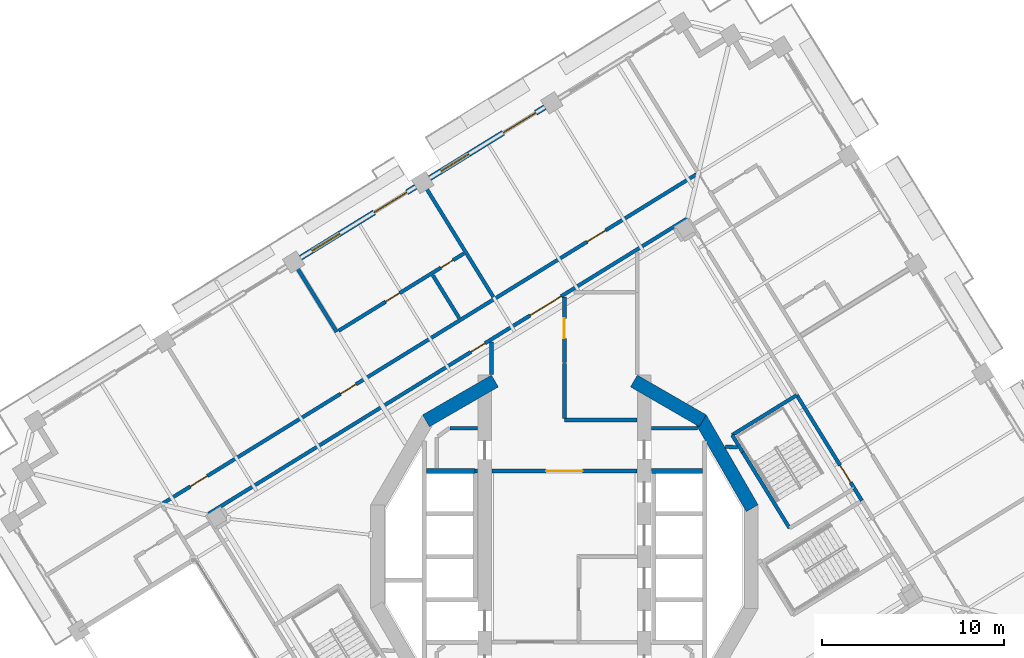
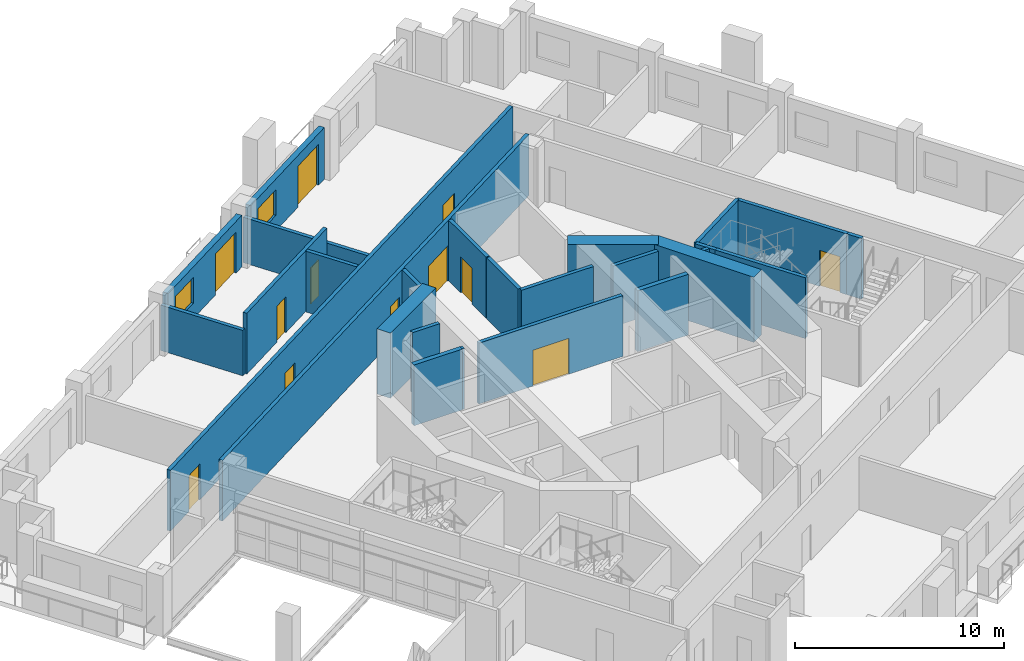
# One storey, part 9 of 20: 27 walls, 12 doors, 2 windows, 14 openings.
"""IFC4 building model written with IfcOpenShell, lengths in metres."""

import ifcopenshell
import ifcopenshell.guid

model = None  # the IFC model being written
_history = None  # IfcOwnerHistory: only IFC2X3 demands one
_inside = {}  # id of a spatial element -> (the spatial element, [elements in it])
_under = {}  # id of a project, library or spatial element -> (it, [spatial elements below it])
_declared = {}  # id of a project -> (the project, [libraries it declares])
_typed = {}  # id of a type object -> (the type object, [elements of that type])
_made_of = {}  # id of a material, layer set ... -> (it, [elements and type objects made of it])


def new_model(schema):
    """Start an empty IFC model of exactly this schema.

    Asked for "IFC4X3", IfcOpenShell would pick the latest addendum, in which some entities
    have other attributes; the version numbers below select the first issue.
    IFC2X3 requires an IfcOwnerHistory on every rooted entity: one is made here for all.
    """
    global model, _history
    if schema == "IFC4X3":
        model = ifcopenshell.file(schema_version=(4, 3, 0, 0))
    else:
        model = ifcopenshell.file(schema=schema)
    _inside.clear()
    _under.clear()
    _declared.clear()
    _typed.clear()
    _made_of.clear()
    _history = None
    if model.schema == "IFC2X3":
        org = make("IfcOrganization", Name="unknown")
        user = make(
            "IfcPersonAndOrganization",
            ThePerson=make("IfcPerson", FamilyName="unknown"),
            TheOrganization=org,
        )
        app = make(
            "IfcApplication",
            ApplicationDeveloper=org,
            Version="unknown",
            ApplicationFullName="unknown",
            ApplicationIdentifier="unknown",
        )
        _history = make(
            "IfcOwnerHistory",
            OwningUser=user,
            OwningApplication=app,
            ChangeAction="ADDED",
            CreationDate=0,
        )
    return model


def make(cls, **values):
    """One entity of the class cls with the attributes given. An attribute that is None is left unset."""
    return model.create_entity(
        cls, **{name: value for name, value in values.items() if value is not None}
    )


def rooted(cls, **values):
    """An entity with a GlobalId (a new one), such as an element, a storey or a relation."""
    return make(cls, GlobalId=ifcopenshell.guid.new(), OwnerHistory=_history, **values)


def si_unit(unit_type, name, prefix=None):
    """IfcSIUnit, for example si_unit("LENGTHUNIT", "METRE", prefix="MILLI")."""
    return make("IfcSIUnit", UnitType=unit_type, Prefix=prefix, Name=name)


def assignment(units):
    """IfcUnitAssignment: the units of a project."""
    return None if units is None else make("IfcUnitAssignment", Units=units)


def point(xyz):
    """IfcCartesianPoint."""
    return None if xyz is None else make("IfcCartesianPoint", Coordinates=xyz)


def direction(xyz):
    """IfcDirection."""
    return None if xyz is None else make("IfcDirection", DirectionRatios=xyz)


def frame(location, z_axis=None, x_axis=None):
    """IfcAxis2Placement3D, a coordinate frame: its origin and axes. An axis left out is left unset."""
    return make(
        "IfcAxis2Placement3D",
        Location=point(location),
        Axis=direction(z_axis),
        RefDirection=direction(x_axis),
    )


def frame_2d(location, x_axis=None):
    """IfcAxis2Placement2D, a coordinate frame in the plane: its origin and x axis."""
    return make(
        "IfcAxis2Placement2D", Location=point(location), RefDirection=direction(x_axis)
    )


def origin():
    """The frame at (0, 0, 0) with its axes left unset."""
    return frame((0.0, 0.0, 0.0))


def place(relative_to, where):
    """IfcLocalPlacement: puts the frame where relative to a parent placement (None: the world)."""
    return make(
        "IfcLocalPlacement", PlacementRelTo=relative_to, RelativePlacement=where
    )


def context(
    kind, dimensions, precision=None, world=None, true_north=None, identifier=None
):
    """IfcGeometricRepresentationContext, for example the 3D "Model" context."""
    return make(
        "IfcGeometricRepresentationContext",
        ContextIdentifier=identifier,
        ContextType=kind,
        CoordinateSpaceDimension=dimensions,
        Precision=precision,
        WorldCoordinateSystem=world,
        TrueNorth=true_north,
    )


def subcontext(parent, identifier, kind, view, scale=None):
    """IfcGeometricRepresentationSubContext, for example "Body" below "Model"."""
    return make(
        "IfcGeometricRepresentationSubContext",
        ContextIdentifier=identifier,
        ContextType=kind,
        ParentContext=parent,
        TargetScale=scale,
        TargetView=view,
    )


def project(units=None, contexts=None):
    """IfcProject with its units and contexts."""
    return rooted(
        "IfcProject",
        Name="project",
        RepresentationContexts=contexts,
        UnitsInContext=assignment(units),
    )


def spatial(cls, under=None, at=None, **own):
    """A site, building, storey or space (cls), placed at a placement, below another one or the project."""
    s = rooted(cls, ObjectPlacement=at, **own)
    if under is not None:
        _under.setdefault(under.id(), (under, []))[1].append(s)
    return s


def profile(cls, at=None, kind="AREA", **sizes):
    """A parametric profile (cls). Its sizes go by their IFC names, for example OverallWidth=200.0."""
    return make(cls, ProfileType=kind, Position=at, **sizes)


def rectangle(**sizes):
    """IfcRectangleProfileDef."""
    return profile("IfcRectangleProfileDef", **sizes)


def extrude(swept, where, along, depth):
    """IfcExtrudedAreaSolid: the profile swept, set in the frame where, extruded along a direction by depth."""
    return make(
        "IfcExtrudedAreaSolid",
        SweptArea=swept,
        Position=where,
        ExtrudedDirection=direction(along),
        Depth=depth,
    )


def shape(context_of_items, identifier, shape_type, items):
    """IfcShapeRepresentation: the items that make up one representation, for example the "Body"."""
    return make(
        "IfcShapeRepresentation",
        ContextOfItems=context_of_items,
        RepresentationIdentifier=identifier,
        RepresentationType=shape_type,
        Items=items,
    )


def material(Name=None, Category=None):
    """IfcMaterial."""
    return make("IfcMaterial", Name=Name, Category=Category)


def layer(
    of_material, thickness, ventilated=None, Name=None, Category=None, Priority=None
):
    """IfcMaterialLayer: one layer of a wall or slab, of a material (None: an air gap)."""
    return make(
        "IfcMaterialLayer",
        Material=of_material,
        LayerThickness=thickness,
        IsVentilated=ventilated,
        Name=Name,
        Category=Category,
        Priority=Priority,
    )


def layer_set(layers, Name=None):
    """IfcMaterialLayerSet."""
    return make("IfcMaterialLayerSet", MaterialLayers=layers, LayerSetName=Name)


def made_of(thing, what):
    """Note that an element or type object is made of a material, layer set ...; save() writes the relation."""
    if what is not None:
        _made_of.setdefault(what.id(), (what, []))[1].append(thing)
    return thing


def type_object(cls, material=None, **own):
    """A type object (cls), such as IfcWallType, which elements share."""
    return made_of(rooted(cls, **own), material)


def element(
    cls,
    number,
    at=None,
    inside=None,
    cuts=None,
    type_object=None,
    material=None,
    context=None,
    identifier="Body",
    shape_type=None,
    held_by="IfcProductDefinitionShape",
    body=None,
    shapes=None,
    **own,
):
    """One element of the class cls, such as IfcWall. Its Tag is "e" and its number.

    at: its placement. inside: the storey or other place that contains it. cuts: it is an
    opening in that element (IfcRelVoidsElement). A single representation is given by context,
    identifier, shape_type and body (its items); several are given by shapes. held_by: the class
    of the entity that holds the representations. save() writes the other relations.
    """
    e = rooted(cls, Tag="e%d" % number, ObjectPlacement=at, **own)
    if body is not None:
        shapes = [shape(context, identifier, shape_type, body)]
    if shapes is not None:
        e.Representation = make(held_by, Representations=shapes)
    if inside is not None:
        _inside.setdefault(inside.id(), (inside, []))[1].append(e)
    if cuts is not None:
        rooted(
            "IfcRelVoidsElement", RelatingBuildingElement=cuts, RelatedOpeningElement=e
        )
    if type_object is not None:
        _typed.setdefault(type_object.id(), (type_object, []))[1].append(e)
    return made_of(e, material)


def fill(opening, filler):
    """IfcRelFillsElement: the door or window that sits in an opening."""
    return rooted(
        "IfcRelFillsElement",
        RelatingOpeningElement=opening,
        RelatedBuildingElement=filler,
    )


def aggregate(whole, parts):
    """IfcRelAggregates: a whole, such as a stair, and the parts it consists of."""
    return rooted("IfcRelAggregates", RelatingObject=whole, RelatedObjects=parts)


def save(model, path):
    """Write the relations noted so far, then the file.

    IfcRelAggregates (storeys below a building ...), IfcRelContainedInSpatialStructure (elements
    in a storey), IfcRelDefinesByType, IfcRelAssociatesMaterial and IfcRelDeclares: one each for
    every whole, place, type object, material and project.
    """
    for whole, parts in _under.values():
        aggregate(whole, parts)
    for where, things in _inside.values():
        rooted(
            "IfcRelContainedInSpatialStructure",
            RelatedElements=things,
            RelatingStructure=where,
        )
    for kind, things in _typed.values():
        rooted("IfcRelDefinesByType", RelatedObjects=things, RelatingType=kind)
    for what, things in _made_of.values():
        rooted("IfcRelAssociatesMaterial", RelatedObjects=things, RelatingMaterial=what)
    for by, libraries in _declared.values():
        rooted("IfcRelDeclares", RelatingContext=by, RelatedDefinitions=libraries)
    model.write(path)


model = new_model("IFC4")

# Units and contexts
model_context = context("Model", 3, precision=1e-05, world=origin(), true_north=direction((0.0, 1.0)))
body_context = subcontext(model_context, "Body", "Model", "MODEL_VIEW")
ifc_project = project(units=[si_unit("LENGTHUNIT", "METRE"), si_unit("AREAUNIT", "SQUARE_METRE"), si_unit("VOLUMEUNIT", "CUBIC_METRE"), si_unit("PLANEANGLEUNIT", "RADIAN"), si_unit("MASSUNIT", "GRAM", prefix="KILO")], contexts=[model_context])

# Site, building, storey
site_placement = place(None, origin())
site = spatial("IfcSite", under=ifc_project, at=site_placement, CompositionType="ELEMENT")
building_placement = place(site_placement, origin())
building = spatial("IfcBuilding", under=site, at=building_placement, Name="Cantera Rosa Tower", CompositionType="ELEMENT")
storey_placement = place(building_placement, frame((0.0, 0.0, 151.39990234375)))
storey = spatial("IfcBuildingStorey", under=building, at=storey_placement, Name="L32", CompositionType="ELEMENT", Elevation=151.39990234375)

# Wall
ifc_material_1 = material(Name="Gypsum board partition")
ifc_layer_1 = layer(ifc_material_1, 0.199951171875)
ifc_layer_set_1 = layer_set([ifc_layer_1], Name="CORRIDOR WALL 200 H3550")
wall_type_1 = type_object("IfcWallType", Name="CORRIDOR WALL 200 H3550", PredefinedType="PARTITIONING", material=ifc_layer_set_1)
wall_1_placement = place(storey_placement, frame((-4.0, 11.765625, 0.0), z_axis=(0.0, 0.0, 1.0), x_axis=(0.0, -1.0, 0.0)))
element("IfcWall", 1, at=wall_1_placement, inside=storey, type_object=wall_type_1, Name="CORRIDOR WALL L32-051", PredefinedType="PARTITIONING", context=body_context, shape_type="SweptSolid", body=[
    extrude(rectangle(XDim=1.771484375, YDim=0.199951171875, at=frame_2d((0.8857421875, 0.0))), origin(), (0.0, 0.0, 1.0), 3.550048828125),
])

# Wall, opening, door
wall_2_placement = place(storey_placement, frame((-3.969970703125, 4.699951171875, 0.0), z_axis=(0.0, 0.0, 1.0), x_axis=(1.0, 0.0, 0.0)))
wall_2 = element("IfcWall", 2, at=wall_2_placement, inside=storey, type_object=wall_type_1, Name="CORRIDOR WALL L32-052", PredefinedType="PARTITIONING", context=body_context, shape_type="SweptSolid", body=[
    extrude(rectangle(XDim=7.93994140625, YDim=0.199951171875, at=frame_2d((3.969970703125, 0.0))), origin(), (0.0, 0.0, 1.0), 3.550048828125),
])
opening_1_placement = place(wall_2_placement, frame((2.969970703125, 0.0, 0.0)))
opening_1 = element("IfcOpeningElement", 3, at=opening_1_placement, cuts=wall_2, Name="Opening L32-010", PredefinedType="OPENING", context=body_context, shape_type="SweptSolid", body=[
    extrude(rectangle(XDim=2.0, YDim=2.10009765625, at=frame_2d((1.0, 1.050048828125))), frame((0.0, 0.10986328125, 0.0), z_axis=(0.0, -1.0, 0.0), x_axis=(1.0, 0.0, 0.0)), (0.0, 0.0, 1.0), 0.219970703125),
])
ifc_material_2 = material(Name="Steel S355J2 (EN 10025-2)", Category="steel")
door_type_1 = type_object("IfcDoorType", Name="LOBBY SCREEN DOOR 2000x2100", OperationType="NOTDEFINED", PredefinedType="DOOR", material=ifc_material_2)
door_1_placement = place(opening_1_placement, origin())
door_1 = element("IfcDoor", 4, at=door_1_placement, inside=storey, type_object=door_type_1, Name="DOOR L32-010", OperationType="NOTDEFINED", OverallHeight=2.10009765625, OverallWidth=2.0, PredefinedType="DOOR", context=body_context, shape_type="SweptSolid", body=[
    extrude(rectangle(XDim=2.0, YDim=2.10009765625, at=frame_2d((1.0, 1.050048828125))), frame((0.0, 0.02490234375, 0.0), z_axis=(0.0, -1.0, 0.0), x_axis=(1.0, 0.0, 0.0)), (0.0, 0.0, 1.0), 0.050048828125),
])
fill(opening_1, door_1)

# Walls
wall_3_placement = place(storey_placement, frame((0.0, 7.5, 0.0), z_axis=(0.0, 0.0, 1.0), x_axis=(1.0, 0.0, 0.0)))
element("IfcWall", 5, at=wall_3_placement, inside=storey, type_object=wall_type_1, Name="CORRIDOR WALL L32-058", PredefinedType="PARTITIONING", context=body_context, shape_type="SweptSolid", body=[
    extrude(rectangle(XDim=3.969970703125, YDim=0.199951171875, at=frame_2d((1.98486328125, 0.0))), origin(), (0.0, 0.0, 1.0), 3.550048828125),
])
wall_4_placement = place(storey_placement, frame((0.0, 10.59521484375, 0.0), z_axis=(0.0, 0.0, 1.0), x_axis=(0.0, -1.0, 0.0)))
element("IfcWall", 6, at=wall_4_placement, inside=storey, type_object=wall_type_1, Name="CORRIDOR WALL L32-059", PredefinedType="PARTITIONING", context=body_context, shape_type="SweptSolid", body=[
    extrude(rectangle(XDim=3.01513671875, YDim=0.199951171875, at=frame_2d((1.507568359375, 0.0))), origin(), (0.0, 0.0, 1.0), 3.550048828125),
])

# Wall, opening, door
wall_5_placement = place(storey_placement, frame((0.0, 14.23291015625, 0.0), z_axis=(0.0, 0.0, 1.0), x_axis=(0.0, -1.0, 0.0)))
wall_5 = element("IfcWall", 7, at=wall_5_placement, inside=storey, type_object=wall_type_1, Name="CORRIDOR WALL L32-060", PredefinedType="PARTITIONING", context=body_context, shape_type="SweptSolid", body=[
    extrude(rectangle(XDim=3.57763671875, YDim=0.199951171875, at=frame_2d((1.788818359375, 0.0))), origin(), (0.0, 0.0, 1.0), 3.550048828125),
])
opening_2_placement = place(wall_5_placement, frame((1.15869140625, 0.0, 0.0)))
opening_2 = element("IfcOpeningElement", 8, at=opening_2_placement, cuts=wall_5, Name="Opening L32-014", PredefinedType="OPENING", context=body_context, shape_type="SweptSolid", body=[
    extrude(rectangle(XDim=1.10009765625, YDim=2.10009765625, at=frame_2d((0.550048828125, 1.050048828125))), frame((0.0, 0.10986328125, 0.0), z_axis=(0.0, -1.0, 0.0), x_axis=(1.0, 0.0, 0.0)), (0.0, 0.0, 1.0), 0.219970703125),
])
ifc_material_3 = material(Name="Timber door leaf", Category="wood")
door_type_2 = type_object("IfcDoorType", Name="ROOM DOOR 1100x2100", OperationType="NOTDEFINED", PredefinedType="DOOR", material=ifc_material_3)
door_2_placement = place(opening_2_placement, origin())
door_2 = element("IfcDoor", 9, at=door_2_placement, inside=storey, type_object=door_type_2, Name="DOOR L32-014", OperationType="NOTDEFINED", OverallHeight=2.10009765625, OverallWidth=1.10009765625, PredefinedType="DOOR", context=body_context, shape_type="SweptSolid", body=[
    extrude(rectangle(XDim=1.10009765625, YDim=2.10009765625, at=frame_2d((0.550048828125, 1.050048828125))), frame((0.0, 0.02490234375, 0.0), z_axis=(0.0, -1.0, 0.0), x_axis=(1.0, 0.0, 0.0)), (0.0, 0.0, 1.0), 0.050048828125),
])
fill(opening_2, door_2)

# Wall, openings, doors
wall_6_placement = place(storey_placement, frame((6.76123046875, 18.563232421875, 0.0), z_axis=(0.0, 0.0, 1.0), x_axis=(-0.851115762051, -0.524978056292, 0.0)))
wall_6 = element("IfcWall", 10, at=wall_6_placement, inside=storey, type_object=wall_type_1, Name="CORRIDOR WALL L32-079", PredefinedType="PARTITIONING", context=body_context, shape_type="SweptSolid", body=[
    extrude(rectangle(XDim=30.879638671875, YDim=0.199951171875, at=frame_2d((15.43994140625, 0.0))), origin(), (0.0, 0.0, 1.0), 3.550048828125),
])
opening_3_placement = place(wall_6_placement, frame((13.066650390625, 0.0, 0.0)))
opening_3 = element("IfcOpeningElement", 11, at=opening_3_placement, cuts=wall_6, Name="Opening L32-006", PredefinedType="OPENING", context=body_context, shape_type="SweptSolid", body=[
    extrude(rectangle(XDim=0.89990234375, YDim=2.10009765625, at=frame_2d((0.449951171875, 1.050048828125))), frame((0.0, 0.10986328125, 0.0), z_axis=(0.0, -1.0, 0.0), x_axis=(1.0, 0.0, 0.0)), (0.0, 0.0, 1.0), 0.219970703125),
])
opening_4_placement = place(wall_6_placement, frame((8.1533203125, 0.0, 0.0)))
opening_4 = element("IfcOpeningElement", 12, at=opening_4_placement, cuts=wall_6, Name="Opening L32-009", PredefinedType="OPENING", context=body_context, shape_type="SweptSolid", body=[
    extrude(rectangle(XDim=2.0, YDim=2.10009765625, at=frame_2d((1.0, 1.050048828125))), frame((0.0, 0.10986328125, 0.0), z_axis=(0.0, -1.0, 0.0), x_axis=(1.0, 0.0, 0.0)), (0.0, 0.0, 1.0), 0.219970703125),
])
door_3_placement = place(opening_4_placement, origin())
door_3 = element("IfcDoor", 13, at=door_3_placement, inside=storey, type_object=door_type_1, Name="DOOR L32-009", OperationType="NOTDEFINED", OverallHeight=2.10009765625, OverallWidth=2.0, PredefinedType="DOOR", context=body_context, shape_type="SweptSolid", body=[
    extrude(rectangle(XDim=2.0, YDim=2.10009765625, at=frame_2d((1.0, 1.050048828125))), frame((0.0, 0.02490234375, 0.0), z_axis=(0.0, -1.0, 0.0), x_axis=(1.0, 0.0, 0.0)), (0.0, 0.0, 1.0), 0.050048828125),
])
fill(opening_4, door_3)
ifc_material_4 = material(Name="Timber door leaf", Category="wood")
door_type_3 = type_object("IfcDoorType", Name="SERVICE DOOR 900x2100", OperationType="NOTDEFINED", PredefinedType="DOOR", material=ifc_material_4)
door_4_placement = place(opening_3_placement, origin())
door_4 = element("IfcDoor", 14, at=door_4_placement, inside=storey, type_object=door_type_3, Name="DOOR L32-006", OperationType="NOTDEFINED", OverallHeight=2.10009765625, OverallWidth=0.89990234375, PredefinedType="DOOR", context=body_context, shape_type="SweptSolid", body=[
    extrude(rectangle(XDim=0.89990234375, YDim=2.10009765625, at=frame_2d((0.449951171875, 1.050048828125))), frame((0.0, 0.02490234375, 0.0), z_axis=(0.0, -1.0, 0.0), x_axis=(1.0, 0.0, 0.0)), (0.0, 0.0, 1.0), 0.050048828125),
])
fill(opening_3, door_4)

wall_7_placement = place(storey_placement, frame((7.246337890625, 20.977294921875, 0.0), z_axis=(0.0, 0.0, 1.0), x_axis=(-0.851117666999, -0.524974967901, 0.0)))
wall_7 = element("IfcWall", 15, at=wall_7_placement, inside=storey, type_object=wall_type_1, Name="CORRIDOR WALL L32-083", PredefinedType="PARTITIONING", context=body_context, shape_type="SweptSolid", body=[
    extrude(rectangle(XDim=34.47998046875, YDim=0.199951171875, at=frame_2d((17.239990234375, 0.0))), origin(), (0.0, 0.0, 1.0), 3.550048828125),
])
opening_5_placement = place(wall_7_placement, frame((5.85009765625, 0.0, 0.0)))
opening_5 = element("IfcOpeningElement", 16, at=opening_5_placement, cuts=wall_7, Name="Opening L32-025", PredefinedType="OPENING", context=body_context, shape_type="SweptSolid", body=[
    extrude(rectangle(XDim=1.199951171875, YDim=2.10009765625, at=frame_2d((0.60009765625, 1.050048828125))), frame((0.0, 0.10986328125, 0.0), z_axis=(0.0, -1.0, 0.0), x_axis=(1.0, 0.0, 0.0)), (0.0, 0.0, 1.0), 0.219970703125),
])
opening_6_placement = place(wall_7_placement, frame((21.93994140625, 0.0, 0.0)))
opening_6 = element("IfcOpeningElement", 17, at=opening_6_placement, cuts=wall_7, Name="Opening L32-026", PredefinedType="OPENING", context=body_context, shape_type="SweptSolid", body=[
    extrude(rectangle(XDim=1.0, YDim=2.10009765625, at=frame_2d((0.5, 1.050048828125))), frame((0.0, 0.10986328125, 0.0), z_axis=(0.0, -1.0, 0.0), x_axis=(1.0, 0.0, 0.0)), (0.0, 0.0, 1.0), 0.219970703125),
])
opening_7_placement = place(wall_7_placement, frame((31.52001953125, 0.0, 0.0)))
opening_7 = element("IfcOpeningElement", 18, at=opening_7_placement, cuts=wall_7, Name="Opening L32-029", PredefinedType="OPENING", context=body_context, shape_type="SweptSolid", body=[
    extrude(rectangle(XDim=1.10009765625, YDim=2.10009765625, at=frame_2d((0.550048828125, 1.050048828125))), frame((0.0, 0.10986328125, 0.0), z_axis=(0.0, -1.0, 0.0), x_axis=(1.0, 0.0, 0.0)), (0.0, 0.0, 1.0), 0.219970703125),
])
ifc_material_5 = material(Name="Timber door leaf", Category="wood")
door_type_4 = type_object("IfcDoorType", Name="ENTRANCE DOOR 1000x2100", OperationType="NOTDEFINED", PredefinedType="DOOR", material=ifc_material_5)
door_5_placement = place(opening_6_placement, origin())
door_5 = element("IfcDoor", 19, at=door_5_placement, inside=storey, type_object=door_type_4, Name="DOOR L32-026", OperationType="NOTDEFINED", OverallHeight=2.10009765625, OverallWidth=1.0, PredefinedType="DOOR", context=body_context, shape_type="SweptSolid", body=[
    extrude(rectangle(XDim=1.0, YDim=2.10009765625, at=frame_2d((0.5, 1.050048828125))), frame((0.0, 0.02490234375, 0.0), z_axis=(0.0, -1.0, 0.0), x_axis=(1.0, 0.0, 0.0)), (0.0, 0.0, 1.0), 0.050048828125),
])
fill(opening_6, door_5)
door_6_placement = place(opening_7_placement, origin())
door_6 = element("IfcDoor", 20, at=door_6_placement, inside=storey, type_object=door_type_2, Name="DOOR L32-029", OperationType="NOTDEFINED", OverallHeight=2.10009765625, OverallWidth=1.10009765625, PredefinedType="DOOR", context=body_context, shape_type="SweptSolid", body=[
    extrude(rectangle(XDim=1.10009765625, YDim=2.10009765625, at=frame_2d((0.550048828125, 1.050048828125))), frame((0.0, 0.02490234375, 0.0), z_axis=(0.0, -1.0, 0.0), x_axis=(1.0, 0.0, 0.0)), (0.0, 0.0, 1.0), 0.050048828125),
])
fill(opening_7, door_6)
ifc_material_6 = material(Name="Timber door leaf", Category="wood")
door_type_5 = type_object("IfcDoorType", Name="ROOM DOOR 1200x2100", OperationType="NOTDEFINED", PredefinedType="DOOR", material=ifc_material_6)
door_7_placement = place(opening_5_placement, origin())
door_7 = element("IfcDoor", 21, at=door_7_placement, inside=storey, type_object=door_type_5, Name="DOOR L32-025", OperationType="NOTDEFINED", OverallHeight=2.10009765625, OverallWidth=1.199951171875, PredefinedType="DOOR", context=body_context, shape_type="SweptSolid", body=[
    extrude(rectangle(XDim=1.199951171875, YDim=2.10009765625, at=frame_2d((0.60009765625, 1.050048828125))), frame((0.0, 0.02490234375, 0.0), z_axis=(0.0, -1.0, 0.0), x_axis=(1.0, 0.0, 0.0)), (0.0, 0.0, 1.0), 0.050048828125),
])
fill(opening_5, door_7)

# Wall
wall_8_placement = place(storey_placement, frame((16.31591796875, 3.072998046875, 0.0), z_axis=(0.0, 0.0, 1.0), x_axis=(-0.524947597637, 0.85113454855, 0.0)))
element("IfcWall", 22, at=wall_8_placement, inside=storey, type_object=wall_type_1, Name="CORRIDOR WALL L32-105", PredefinedType="PARTITIONING", context=body_context, shape_type="SweptSolid", body=[
    extrude(rectangle(XDim=0.80078125, YDim=0.199951171875, at=frame_2d((0.400390625, 0.0))), origin(), (0.0, 0.0, 1.0), 3.550048828125),
])

# Wall, openings, window, door
ifc_material_7 = material(Name="Hollow clay masonry with cantera stone cladding", Category="masonry")
ifc_layer_2 = layer(ifc_material_7, 0.300048828125)
ifc_layer_set_2 = layer_set([ifc_layer_2], Name="EW-LOGGIA 300 H3020")
wall_type_2 = type_object("IfcWallType", Name="EW-LOGGIA 300 H3020", PredefinedType="SOLIDWALL", material=ifc_layer_set_2)
wall_9_placement = place(storey_placement, frame((-1.07421875, 24.656982421875, 0.0), z_axis=(0.0, 0.0, 1.0), x_axis=(-0.85112578684, -0.524961803349, 0.0)))
wall_9 = element("IfcWall", 23, at=wall_9_placement, inside=storey, type_object=wall_type_2, Name="EN-L32-W09", PredefinedType="SOLIDWALL", context=body_context, shape_type="SweptSolid", body=[
    extrude(rectangle(XDim=7.420166015625, YDim=0.300048828125, at=frame_2d((3.7099609375, 0.0))), origin(), (0.0, 0.0, 1.0), 3.02001953125),
])
opening_8_placement = place(wall_9_placement, frame((0.580078125, 0.0, 0.0)))
opening_8 = element("IfcOpeningElement", 24, at=opening_8_placement, cuts=wall_9, Name="Opening L32-TD13", PredefinedType="OPENING", context=body_context, shape_type="SweptSolid", body=[
    extrude(rectangle(XDim=2.10009765625, YDim=2.39990234375, at=frame_2d((1.050048828125, 1.199951171875))), frame((0.0, 0.159912109375, 0.0), z_axis=(0.0, -1.0, 0.0), x_axis=(1.0, 0.0, 0.0)), (0.0, 0.0, 1.0), 0.320068359375),
])
opening_9_placement = place(wall_9_placement, frame((4.889892578125, 0.0, 0.89990234375)))
opening_9 = element("IfcOpeningElement", 25, at=opening_9_placement, cuts=wall_9, Name="Opening L32-W14", PredefinedType="OPENING", context=body_context, shape_type="SweptSolid", body=[
    extrude(rectangle(XDim=1.800048828125, YDim=1.5, at=frame_2d((0.89990234375, 0.75))), frame((0.0, 0.159912109375, 0.0), z_axis=(0.0, -1.0, 0.0), x_axis=(1.0, 0.0, 0.0)), (0.0, 0.0, 1.0), 0.320068359375),
])
ifc_material_8 = material(Name="Aluminium frame with clear glass", Category="aluminium")
window_type = type_object("IfcWindowType", Name="Hotel room window 1800x1500", PartitioningType="DOUBLE_PANEL_VERTICAL", PredefinedType="WINDOW", material=ifc_material_8)
window_1_placement = place(opening_9_placement, origin())
window_1 = element("IfcWindow", 26, at=window_1_placement, inside=storey, type_object=window_type, Name="WINDOW L32-W14", OverallHeight=1.5, OverallWidth=1.800048828125, PartitioningType="SINGLE_PANEL", PredefinedType="WINDOW", context=body_context, shape_type="SweptSolid", body=[
    extrude(rectangle(XDim=1.800048828125, YDim=1.5, at=frame_2d((0.89990234375, 0.75))), frame((0.0, 0.030029296875, 0.0), z_axis=(0.0, -1.0, 0.0), x_axis=(1.0, 0.0, 0.0)), (0.0, 0.0, 1.0), 0.06005859375),
])
fill(opening_9, window_1)
ifc_material_9 = material(Name="Aluminium frame with clear glass", Category="aluminium")
door_type_6 = type_object("IfcDoorType", Name="TD-H 2100x2400", OperationType="NOTDEFINED", PredefinedType="DOOR", material=ifc_material_9)
door_8_placement = place(opening_8_placement, origin())
door_8 = element("IfcDoor", 27, at=door_8_placement, inside=storey, type_object=door_type_6, Name="LOGGIA DOOR L32-TD13", OperationType="SLIDING_TO_LEFT", OverallHeight=2.39990234375, OverallWidth=2.10009765625, PredefinedType="DOOR", context=body_context, shape_type="SweptSolid", body=[
    extrude(rectangle(XDim=2.10009765625, YDim=2.39990234375, at=frame_2d((1.050048828125, 1.199951171875))), frame((0.0, 0.02490234375, 0.0), z_axis=(0.0, -1.0, 0.0), x_axis=(1.0, 0.0, 0.0)), (0.0, 0.0, 1.0), 0.050048828125),
])
fill(opening_8, door_8)

wall_10_placement = place(storey_placement, frame((-8.155517578125, 20.289306640625, 0.0), z_axis=(0.0, 0.0, 1.0), x_axis=(-0.851111085575, -0.524985637909, 0.0)))
wall_10 = element("IfcWall", 28, at=wall_10_placement, inside=storey, type_object=wall_type_2, Name="EN-L32-W10", PredefinedType="SOLIDWALL", context=body_context, shape_type="SweptSolid", body=[
    extrude(rectangle(XDim=7.420166015625, YDim=0.300048828125, at=frame_2d((3.7099609375, 0.0))), origin(), (0.0, 0.0, 1.0), 3.02001953125),
])
opening_10_placement = place(wall_10_placement, frame((0.580078125, 0.0, 0.0)))
opening_10 = element("IfcOpeningElement", 29, at=opening_10_placement, cuts=wall_10, Name="Opening L32-TD15", PredefinedType="OPENING", context=body_context, shape_type="SweptSolid", body=[
    extrude(rectangle(XDim=2.10009765625, YDim=2.39990234375, at=frame_2d((1.050048828125, 1.199951171875))), frame((0.0, 0.159912109375, 0.0), z_axis=(0.0, -1.0, 0.0), x_axis=(1.0, 0.0, 0.0)), (0.0, 0.0, 1.0), 0.320068359375),
])
opening_11_placement = place(wall_10_placement, frame((4.889892578125, 0.0, 0.89990234375)))
opening_11 = element("IfcOpeningElement", 30, at=opening_11_placement, cuts=wall_10, Name="Opening L32-W16", PredefinedType="OPENING", context=body_context, shape_type="SweptSolid", body=[
    extrude(rectangle(XDim=1.800048828125, YDim=1.5, at=frame_2d((0.89990234375, 0.75))), frame((0.0, 0.159912109375, 0.0), z_axis=(0.0, -1.0, 0.0), x_axis=(1.0, 0.0, 0.0)), (0.0, 0.0, 1.0), 0.320068359375),
])
window_2_placement = place(opening_11_placement, origin())
window_2 = element("IfcWindow", 31, at=window_2_placement, inside=storey, type_object=window_type, Name="WINDOW L32-W16", OverallHeight=1.5, OverallWidth=1.800048828125, PartitioningType="SINGLE_PANEL", PredefinedType="WINDOW", context=body_context, shape_type="SweptSolid", body=[
    extrude(rectangle(XDim=1.800048828125, YDim=1.5, at=frame_2d((0.89990234375, 0.75))), frame((0.0, 0.030029296875, 0.0), z_axis=(0.0, -1.0, 0.0), x_axis=(1.0, 0.0, 0.0)), (0.0, 0.0, 1.0), 0.06005859375),
])
fill(opening_11, window_2)
door_9_placement = place(opening_10_placement, origin())
door_9 = element("IfcDoor", 32, at=door_9_placement, inside=storey, type_object=door_type_6, Name="LOGGIA DOOR L32-TD15", OperationType="SLIDING_TO_LEFT", OverallHeight=2.39990234375, OverallWidth=2.10009765625, PredefinedType="DOOR", context=body_context, shape_type="SweptSolid", body=[
    extrude(rectangle(XDim=2.10009765625, YDim=2.39990234375, at=frame_2d((1.050048828125, 1.199951171875))), frame((0.0, 0.02490234375, 0.0), z_axis=(0.0, -1.0, 0.0), x_axis=(1.0, 0.0, 0.0)), (0.0, 0.0, 1.0), 0.050048828125),
])
fill(opening_10, door_9)

# Walls
ifc_material_10 = material(Name="Gypsum board partition")
ifc_layer_3 = layer(ifc_material_10, 0.199951171875)
ifc_layer_set_3 = layer_set([ifc_layer_3], Name="PARTITION 200 H2650")
wall_type_3 = type_object("IfcWallType", Name="PARTITION 200 H2650", PredefinedType="PARTITIONING", material=ifc_layer_set_3)
wall_11_placement = place(storey_placement, frame((-12.491455078125, 12.32763671875, 0.0), z_axis=(0.0, 0.0, 1.0), x_axis=(-0.524986965499, 0.851110266685, 0.0)))
element("IfcWall", 33, at=wall_11_placement, inside=storey, type_object=wall_type_3, Name="PARTITION L32-019", PredefinedType="PARTITIONING", context=body_context, shape_type="SweptSolid", body=[
    extrude(rectangle(XDim=4.469970703125, YDim=0.199951171875, at=frame_2d((2.23486328125, 0.0))), origin(), (0.0, 0.0, 1.0), 2.650146484375),
])
ifc_material_11 = material(Name="Gypsum board partition")
ifc_layer_4 = layer(ifc_material_11, 0.199951171875)
ifc_layer_set_4 = layer_set([ifc_layer_4], Name="PARTITION 200 H3550")
wall_type_4 = type_object("IfcWallType", Name="PARTITION 200 H3550", PredefinedType="PARTITIONING", material=ifc_layer_set_4)
wall_12_placement = place(storey_placement, frame((-6.273681640625, 7.050048828125, 0.0), z_axis=(0.0, 0.0, 1.0), x_axis=(1.0, 0.0, 0.0)))
element("IfcWall", 34, at=wall_12_placement, inside=storey, type_object=wall_type_4, Name="PARTITION L32-041", PredefinedType="PARTITIONING", context=body_context, shape_type="SweptSolid", body=[
    extrude(rectangle(XDim=1.49365234375, YDim=0.199951171875, at=frame_2d((0.746826171875, 0.0))), origin(), (0.0, 0.0, 1.0), 3.550048828125),
])
wall_13_placement = place(storey_placement, frame((-5.770751953125, 13.08935546875, 0.0), z_axis=(0.0, 0.0, 1.0), x_axis=(-0.524980555024, 0.851114220799, 0.0)))
element("IfcWall", 35, at=wall_13_placement, inside=storey, type_object=wall_type_4, Name="PARTITION L32-043", PredefinedType="PARTITIONING", context=body_context, shape_type="SweptSolid", body=[
    extrude(rectangle(XDim=2.760009765625, YDim=0.199951171875, at=frame_2d((1.3798828125, 0.0))), origin(), (0.0, 0.0, 1.0), 3.550048828125),
])

# Wall, openings, doors
wall_14_placement = place(storey_placement, frame((-5.51220703125, 16.63232421875, 0.0), z_axis=(0.0, 0.0, 1.0), x_axis=(-0.851128794502, -0.524956926965, 0.0)))
wall_14 = element("IfcWall", 36, at=wall_14_placement, inside=storey, type_object=wall_type_4, Name="PARTITION L32-044", PredefinedType="PARTITIONING", context=body_context, shape_type="SweptSolid", body=[
    extrude(rectangle(XDim=8.080078125, YDim=0.199951171875, at=frame_2d((4.0400390625, 0.0))), origin(), (0.0, 0.0, 1.0), 3.550048828125),
])
opening_12_placement = place(wall_14_placement, frame((4.139892578125, 0.0, 0.0)))
opening_12 = element("IfcOpeningElement", 37, at=opening_12_placement, cuts=wall_14, Name="Opening L32-027", PredefinedType="OPENING", context=body_context, shape_type="SweptSolid", body=[
    extrude(rectangle(XDim=0.89990234375, YDim=2.10009765625, at=frame_2d((0.449951171875, 1.050048828125))), frame((0.0, 0.10986328125, 0.0), z_axis=(0.0, -1.0, 0.0), x_axis=(1.0, 0.0, 0.0)), (0.0, 0.0, 1.0), 0.219970703125),
])
opening_13_placement = place(wall_14_placement, frame((0.68994140625, 0.0, 0.0)))
opening_13 = element("IfcOpeningElement", 38, at=opening_13_placement, cuts=wall_14, Name="Opening L32-028", PredefinedType="OPENING", context=body_context, shape_type="SweptSolid", body=[
    extrude(rectangle(XDim=0.800048828125, YDim=2.10009765625, at=frame_2d((0.39990234375, 1.050048828125))), frame((0.0, 0.10986328125, 0.0), z_axis=(0.0, -1.0, 0.0), x_axis=(1.0, 0.0, 0.0)), (0.0, 0.0, 1.0), 0.219970703125),
])
ifc_material_12 = material(Name="Timber door leaf", Category="wood")
door_type_7 = type_object("IfcDoorType", Name="BATHROOM DOOR 800x2100", OperationType="NOTDEFINED", PredefinedType="DOOR", material=ifc_material_12)
door_10_placement = place(opening_13_placement, origin())
door_10 = element("IfcDoor", 39, at=door_10_placement, inside=storey, type_object=door_type_7, Name="DOOR L32-028", OperationType="NOTDEFINED", OverallHeight=2.10009765625, OverallWidth=0.800048828125, PredefinedType="DOOR", context=body_context, shape_type="SweptSolid", body=[
    extrude(rectangle(XDim=0.800048828125, YDim=2.10009765625, at=frame_2d((0.39990234375, 1.050048828125))), frame((0.0, 0.02490234375, 0.0), z_axis=(0.0, -1.0, 0.0), x_axis=(1.0, 0.0, 0.0)), (0.0, 0.0, 1.0), 0.050048828125),
])
fill(opening_13, door_10)
ifc_material_13 = material(Name="Timber door leaf", Category="wood")
door_type_8 = type_object("IfcDoorType", Name="ROOM DOOR 900x2100", OperationType="NOTDEFINED", PredefinedType="DOOR", material=ifc_material_13)
door_11_placement = place(opening_12_placement, origin())
door_11 = element("IfcDoor", 40, at=door_11_placement, inside=storey, type_object=door_type_8, Name="DOOR L32-027", OperationType="NOTDEFINED", OverallHeight=2.10009765625, OverallWidth=0.89990234375, PredefinedType="DOOR", context=body_context, shape_type="SweptSolid", body=[
    extrude(rectangle(XDim=0.89990234375, YDim=2.10009765625, at=frame_2d((0.449951171875, 1.050048828125))), frame((0.0, 0.02490234375, 0.0), z_axis=(0.0, -1.0, 0.0), x_axis=(1.0, 0.0, 0.0)), (0.0, 0.0, 1.0), 0.050048828125),
])
fill(opening_12, door_11)

# Walls
wall_15_placement = place(storey_placement, frame((-4.780029296875, 4.699951171875, 0.0), z_axis=(0.0, 0.0, 1.0), x_axis=(-1.0, 0.0, 0.0)))
element("IfcWall", 41, at=wall_15_placement, inside=storey, type_object=wall_type_4, Name="PARTITION L32-048", PredefinedType="PARTITIONING", context=body_context, shape_type="SweptSolid", body=[
    extrude(rectangle(XDim=0.119873046875, YDim=0.199951171875, at=frame_2d((0.06005859375, 0.0))), origin(), (0.0, 0.0, 1.0), 3.550048828125),
])
wall_16_placement = place(storey_placement, frame((4.780029296875, 7.050048828125, 0.0), z_axis=(0.0, 0.0, 1.0), x_axis=(1.0, 0.0, 0.0)))
element("IfcWall", 42, at=wall_16_placement, inside=storey, type_object=wall_type_4, Name="PARTITION L32-074", PredefinedType="PARTITIONING", context=body_context, shape_type="SweptSolid", body=[
    extrude(rectangle(XDim=2.517822265625, YDim=0.199951171875, at=frame_2d((1.2587890625, 0.0))), origin(), (0.0, 0.0, 1.0), 3.550048828125),
])
wall_17_placement = place(storey_placement, frame((9.49658203125, 6.001708984375, 0.0), z_axis=(0.0, 0.0, 1.0), x_axis=(-0.999163532826, 0.04089296603, 0.0)))
element("IfcWall", 43, at=wall_17_placement, inside=storey, type_object=wall_type_4, Name="PARTITION L32-092", PredefinedType="PARTITIONING", context=body_context, shape_type="SweptSolid", body=[
    extrude(rectangle(XDim=0.674560546875, YDim=0.199951171875, at=frame_2d((0.33740234375, 0.0))), origin(), (0.0, 0.0, 1.0), 3.550048828125),
])
ifc_material_14 = material(Name="Gypsum board partition")
ifc_layer_5 = layer(ifc_material_14, 0.199951171875)
ifc_layer_set_5 = layer_set([ifc_layer_5], Name="PARTY WALL 200 H2650")
wall_type_5 = type_object("IfcWallType", Name="PARTY WALL 200 H2650", PredefinedType="PARTITIONING", material=ifc_layer_set_5)
wall_18_placement = place(storey_placement, frame((-3.898193359375, 14.244140625, 0.0), z_axis=(0.0, 0.0, 1.0), x_axis=(-0.524973728225, 0.851118431638, 0.0)))
element("IfcWall", 44, at=wall_18_placement, inside=storey, type_object=wall_type_5, Name="PARTY WALL L32-053", PredefinedType="PARTITIONING", context=body_context, shape_type="SweptSolid", body=[
    extrude(rectangle(XDim=7.35009765625, YDim=0.199951171875, at=frame_2d((3.675048828125, 0.0))), origin(), (0.0, 0.0, 1.0), 2.650146484375),
])
ifc_material_15 = material(Name="Concrete C60/75", Category="concrete")
ifc_layer_6 = layer(ifc_material_15, 0.75)
ifc_layer_set_6 = layer_set([ifc_layer_6], Name="RC CORE WALL 750 C60/75")
wall_type_6 = type_object("IfcWallType", Name="RC CORE WALL 750 C60/75", PredefinedType="SHEAR", material=ifc_layer_set_6)
for number, where, z_axis, x_axis, name in (
    (45, (-7.590576171875, 7.453369140625, 0.0), (0.0, 0.0, 1.0), (0.866013176292, 0.50002117804, 0.0), "CW-W5 L32"),
    (46, (3.8125, 9.634765625, 0.0), (0.0, 0.0, 1.0), (0.866013176292, -0.50002117804, 0.0), "CW-E1 L32"),
):
    element("IfcWall", number, at=place(storey_placement, frame(where, z_axis=z_axis, x_axis=x_axis)), inside=storey, type_object=wall_type_6, Name=name, PredefinedType="SHEAR", context=body_context, shape_type="SweptSolid", body=[
        extrude(rectangle(XDim=4.362548828125, YDim=0.75, at=frame_2d((2.18115234375, 0.0))), origin(), (0.0, 0.0, 1.0), 3.800048828125),
    ])
wall_19_placement = place(storey_placement, frame((7.453369140625, 7.590576171875, 0.0), z_axis=(0.0, 0.0, 1.0), x_axis=(0.500021842983, -0.866012792365, 0.0)))
element("IfcWall", 47, at=wall_19_placement, inside=storey, type_object=wall_type_6, Name="CW-E2 L32", PredefinedType="SHEAR", context=body_context, shape_type="SweptSolid", body=[
    extrude(rectangle(XDim=5.694091796875, YDim=0.75, at=frame_2d((2.84716796875, 0.0))), origin(), (0.0, 0.0, 1.0), 3.800048828125),
])
ifc_material_16 = material(Name="Masonry blockwork", Category="masonry")
ifc_layer_7 = layer(ifc_material_16, 0.25)
ifc_layer_set_7 = layer_set([ifc_layer_7], Name="SHAFT WALL 250 H3550")
wall_type_7 = type_object("IfcWallType", Name="SHAFT WALL 250 H3550", PredefinedType="SOLIDWALL", material=ifc_layer_set_7)
wall_20_placement = place(storey_placement, frame((-7.574951171875, 4.699951171875, 0.0), z_axis=(0.0, 0.0, 1.0), x_axis=(1.0, 0.0, 0.0)))
element("IfcWall", 48, at=wall_20_placement, inside=storey, type_object=wall_type_7, Name="SHAFT WALL L32-032", PredefinedType="SOLIDWALL", context=body_context, shape_type="SweptSolid", body=[
    extrude(rectangle(XDim=2.675048828125, YDim=0.25, at=frame_2d((1.33740234375, 0.0))), origin(), (0.0, 0.0, 1.0), 3.550048828125),
])
wall_21_placement = place(storey_placement, frame((4.780029296875, 4.699951171875, 0.0), z_axis=(0.0, 0.0, 1.0), x_axis=(1.0, 0.0, 0.0)))
element("IfcWall", 49, at=wall_21_placement, inside=storey, type_object=wall_type_7, Name="SHAFT WALL L32-073", PredefinedType="SOLIDWALL", context=body_context, shape_type="SweptSolid", body=[
    extrude(rectangle(XDim=2.794921875, YDim=0.25, at=frame_2d((1.3974609375, 0.0))), origin(), (0.0, 0.0, 1.0), 3.550048828125),
])
ifc_material_17 = material(Name="Concrete C50/60", Category="concrete")
ifc_layer_8 = layer(ifc_material_17, 0.199951171875)
ifc_layer_set_8 = layer_set([ifc_layer_8], Name="STAIR WALL 200 H3550")
wall_type_8 = type_object("IfcWallType", Name="STAIR WALL 200 H3550", PredefinedType="SOLIDWALL", material=ifc_layer_set_8)
wall_22_placement = place(storey_placement, frame((9.199462890625, 6.674072265625, 0.0), z_axis=(0.0, 0.0, 1.0), x_axis=(0.524902102766, -0.851162606387, 0.0)))
element("IfcWall", 50, at=wall_22_placement, inside=storey, type_object=wall_type_8, Name="STAIR WALL L32-090", PredefinedType="SOLIDWALL", context=body_context, shape_type="SweptSolid", body=[
    extrude(rectangle(XDim=1.10009765625, YDim=0.199951171875, at=frame_2d((0.550048828125, 0.0))), origin(), (0.0, 0.0, 1.0), 3.550048828125),
])
wall_23_placement = place(storey_placement, frame((12.74560546875, 8.861328125, 0.0), z_axis=(0.0, 0.0, 1.0), x_axis=(-0.851120688733, -0.524970068871, 0.0)))
element("IfcWall", 51, at=wall_23_placement, inside=storey, type_object=wall_type_8, Name="STAIR WALL L32-100", PredefinedType="SOLIDWALL", context=body_context, shape_type="SweptSolid", body=[
    extrude(rectangle(XDim=4.16650390625, YDim=0.199951171875, at=frame_2d((2.083251953125, 0.0))), origin(), (0.0, 0.0, 1.0), 3.550048828125),
])

# Wall, opening, door
wall_24_placement = place(storey_placement, frame((15.8955078125, 3.754638671875, 0.0), z_axis=(0.0, 0.0, 1.0), x_axis=(-0.524982543144, 0.851112994493, 0.0)))
wall_24 = element("IfcWall", 52, at=wall_24_placement, inside=storey, type_object=wall_type_8, Name="STAIR WALL L32-104", PredefinedType="SOLIDWALL", context=body_context, shape_type="SweptSolid", body=[
    extrude(rectangle(XDim=6.0, YDim=0.199951171875, at=frame_2d((3.0, 0.0))), origin(), (0.0, 0.0, 1.0), 3.550048828125),
])
opening_14_placement = place(wall_24_placement, frame((0.375, 0.0, 0.0)))
opening_14 = element("IfcOpeningElement", 53, at=opening_14_placement, cuts=wall_24, Name="Opening L32-001", PredefinedType="OPENING", context=body_context, shape_type="SweptSolid", body=[
    extrude(rectangle(XDim=1.10009765625, YDim=2.10009765625, at=frame_2d((0.550048828125, 1.050048828125))), frame((0.0, 0.10986328125, 0.0), z_axis=(0.0, -1.0, 0.0), x_axis=(1.0, 0.0, 0.0)), (0.0, 0.0, 1.0), 0.219970703125),
])
ifc_material_18 = material(Name="Steel S355J2 (EN 10025-2)", Category="steel")
door_type_9 = type_object("IfcDoorType", Name="STAIR DOOR 1100x2100", OperationType="NOTDEFINED", PredefinedType="DOOR", material=ifc_material_18)
door_12_placement = place(opening_14_placement, origin())
door_12 = element("IfcDoor", 54, at=door_12_placement, inside=storey, type_object=door_type_9, Name="DOOR L32-001", OperationType="NOTDEFINED", OverallHeight=2.10009765625, OverallWidth=1.10009765625, PredefinedType="DOOR", context=body_context, shape_type="SweptSolid", body=[
    extrude(rectangle(XDim=1.10009765625, YDim=2.10009765625, at=frame_2d((0.550048828125, 1.050048828125))), frame((0.0, 0.02490234375, 0.0), z_axis=(0.0, -1.0, 0.0), x_axis=(1.0, 0.0, 0.0)), (0.0, 0.0, 1.0), 0.050048828125),
])
fill(opening_14, door_12)

# Wall
wall_25_placement = place(storey_placement, frame((9.77685546875, 5.73779296875, 0.0), z_axis=(0.0, 0.0, 1.0), x_axis=(0.525000600504, -0.851101856108, 0.0)))
element("IfcWall", 55, at=wall_25_placement, inside=storey, type_object=wall_type_8, Name="STAIR WALL L32-090 J", PredefinedType="SOLIDWALL", context=body_context, shape_type="SweptSolid", body=[
    extrude(rectangle(XDim=4.89990234375, YDim=0.199951171875, at=frame_2d((2.449951171875, 0.0))), origin(), (0.0, 0.0, 1.0), 3.550048828125),
])

save(model, "model.ifc")
